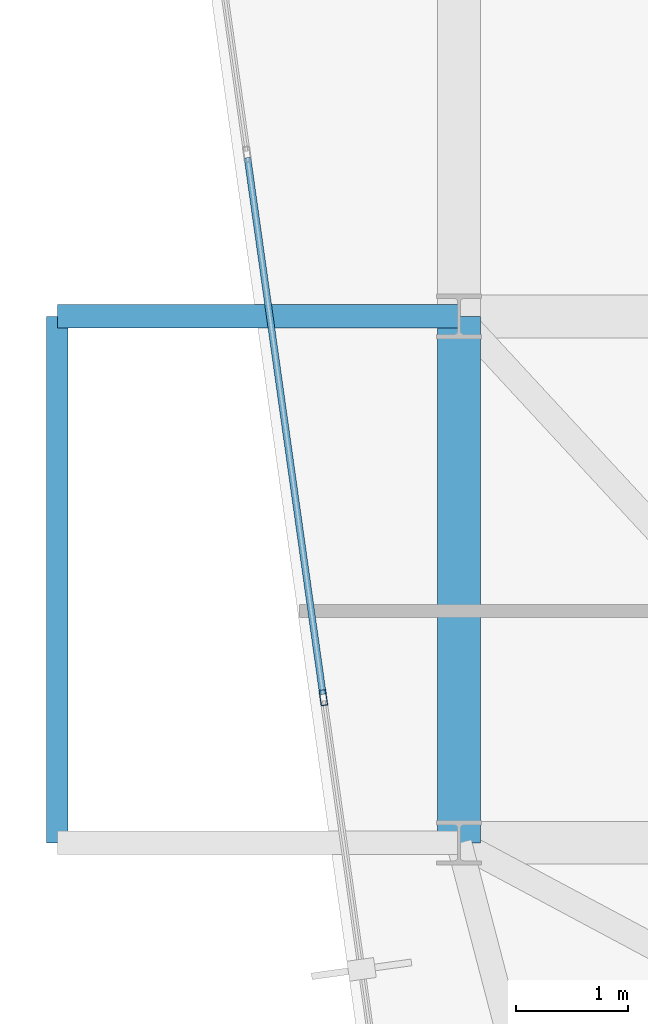
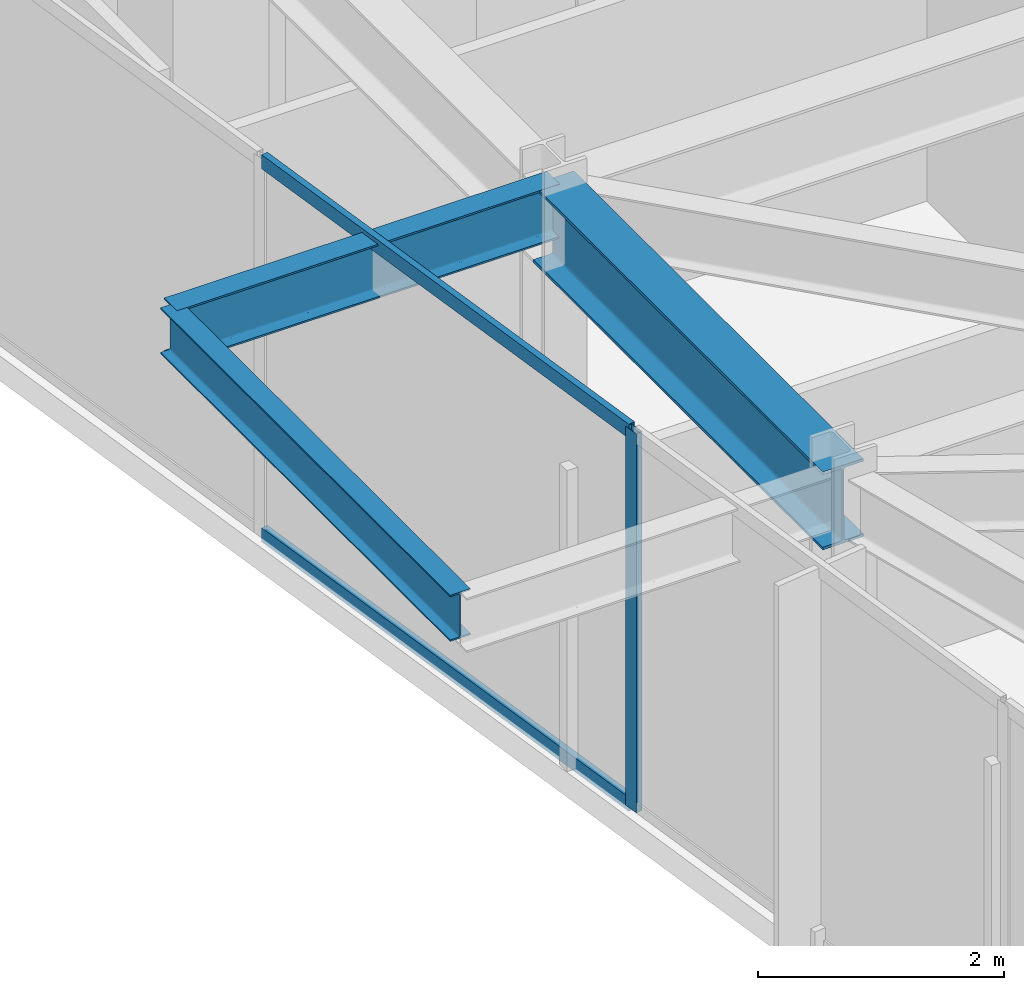
# One storey, part 9 of 26: 3 beams, 3 members, 1 element without a shape of its own.
"""IFC4 building model written with IfcOpenShell, lengths in metres."""

from ifc_helpers import new_model, si_unit, direction, frame, origin, origin_2d, place, context, subcontext, project, spatial, hollow_rectangle, i_section, extrude, material, layer, layer_set, material_profile, profile_set, type_object, element, aggregate, save


model = new_model("IFC4")

# Units and contexts
model_context = context("Model", 3, precision=1e-05, world=origin(), true_north=direction((0.0, 1.0)))
body_context = subcontext(model_context, "Body", "Model", "MODEL_VIEW")
ifc_project = project(units=[si_unit("LENGTHUNIT", "METRE"), si_unit("AREAUNIT", "SQUARE_METRE"), si_unit("VOLUMEUNIT", "CUBIC_METRE"), si_unit("PLANEANGLEUNIT", "RADIAN"), si_unit("MASSUNIT", "GRAM", prefix="KILO")], contexts=[model_context])

# Site, building, storey
site_placement = place(None, origin())
site = spatial("IfcSite", under=ifc_project, at=site_placement, CompositionType="ELEMENT")
building_placement = place(site_placement, origin())
building = spatial("IfcBuilding", under=site, at=building_placement, Name="Kravanh Interchange Tower", CompositionType="ELEMENT")
storey_placement = place(building_placement, frame((0.0, 0.0, 212.5)))
storey = spatial("IfcBuildingStorey", under=building, at=storey_placement, Name="L51", CompositionType="ELEMENT", Elevation=212.5)

# Curtain wall, members
ifc_material_1 = material(Name="Anodised Bronze Aluminium", Category="aluminium")
ifc_layer = layer(ifc_material_1, 0.179931640625)
ifc_layer_set = layer_set([ifc_layer], Name="Unitised Curtain Wall System CW-Z3 Upper Office")
curtain_wall_type = type_object("IfcCurtainWallType", Name="Unitised Curtain Wall System CW-Z3 Upper Office", PredefinedType="NOTDEFINED", material=ifc_layer_set)
curtain_wall_placement = place(storey_placement, origin())
curtain_wall = element("IfcCurtainWall", 1, at=curtain_wall_placement, inside=storey, type_object=curtain_wall_type, Name="L51 Unitised Curtain Wall CW-L51-01", PredefinedType="NOTDEFINED")
ifc_material_2 = material(Name="Anodised Bronze Aluminium", Category="aluminium")
ifc_material_profile_1 = material_profile(ifc_material_2, hollow_rectangle(XDim=0.06005859375, YDim=0.139892578125, WallThickness=0.00390625, at=origin_2d()), Name="ALU60X140X4")
ifc_profile_set_1 = profile_set([ifc_material_profile_1], Name="Anodised Bronze Aluminium")
member_type_1 = type_object("IfcMemberType", Name="Curtain Wall Mullion ALU60X140X4 Bronze", PredefinedType="MULLION", material=ifc_profile_set_1)
member_1_placement = place(storey_placement, frame((17.388671875, 28.09619140625, 0.0), z_axis=(0.0, 0.0, 1.0), x_axis=(-0.990268194035, -0.139172209446, 0.0)))
member_1 = element("IfcMember", 2, at=member_1_placement, type_object=member_type_1, Name="CW-Z3 mullion 4", PredefinedType="MULLION", context=body_context, shape_type="SweptSolid", body=[
    extrude(hollow_rectangle(XDim=0.06005859375, YDim=0.139892578125, WallThickness=0.00390625, at=origin_2d()), origin(), (0.0, 0.0, 1.0), 3.7548828125),
])
ifc_material_3 = material(Name="Anodised Bronze Aluminium", Category="aluminium")
ifc_material_profile_2 = material_profile(ifc_material_3, hollow_rectangle(XDim=0.06005859375, YDim=0.139892578125, WallThickness=0.00390625, at=origin_2d()), Name="ALU60X140X4")
ifc_profile_set_2 = profile_set([ifc_material_profile_2], Name="Anodised Bronze Aluminium")
member_type_2 = type_object("IfcMemberType", Name="Curtain Wall Transom ALU60X140X4 Bronze", PredefinedType="USERDEFINED", material=ifc_profile_set_2)
member_2_placement = place(storey_placement, frame((17.384521484375, 28.1259765625, 0.030029296875), z_axis=(-0.139182174391, 0.990266793512, 0.0), x_axis=(-0.990266793512, -0.139182174391, 0.0)))
member_2 = element("IfcMember", 3, at=member_2_placement, type_object=member_type_2, Name="CW-Z3 transom 4.1", ObjectType="TRANSOM", PredefinedType="USERDEFINED", context=body_context, shape_type="SweptSolid", body=[
    extrude(hollow_rectangle(XDim=0.06005859375, YDim=0.139892578125, WallThickness=0.00390625, at=origin_2d()), origin(), (0.0, 0.0, 1.0), 4.839599609375),
])
member_3_placement = place(storey_placement, frame((17.384521484375, 28.1259765625, 3.72509765625), z_axis=(-0.139182174391, 0.990266793512, 0.0), x_axis=(-0.990266793512, -0.139182174391, 0.0)))
member_3 = element("IfcMember", 4, at=member_3_placement, type_object=member_type_2, Name="CW-Z3 transom 4.2", ObjectType="TRANSOM", PredefinedType="USERDEFINED", context=body_context, shape_type="SweptSolid", body=[
    extrude(hollow_rectangle(XDim=0.06005859375, YDim=0.139892578125, WallThickness=0.00390625, at=origin_2d()), origin(), (0.0, 0.0, 1.0), 4.839599609375),
])
aggregate(curtain_wall, [member_1, member_2, member_3])

# Beams
ifc_material_4 = material(Name="Structural Steel S355", Category="steel")
ifc_material_profile_3 = material_profile(ifc_material_4, i_section(OverallWidth=0.381103515625, OverallDepth=0.77294921875, WebThickness=0.0166015625, FlangeThickness=0.027099609375, FilletRadius=0.02490234375, at=origin_2d()), Name="W30X173")
ifc_profile_set_3 = profile_set([ifc_material_profile_3], Name="Structural Steel S355")
beam_type_1 = type_object("IfcBeamType", Name="Floor Beam W30X173 Structural Steel S355", PredefinedType="BEAM", material=ifc_profile_set_3)
beam_1_placement = place(storey_placement, frame((18.60009765625, 26.800048828125, 3.368408203125), z_axis=(0.0, 1.0, 0.0), x_axis=(-1.0, 0.0, 0.0)))
element("IfcBeam", 5, at=beam_1_placement, inside=storey, type_object=beam_type_1, Name="L51 Primary Floor Girder 33", PredefinedType="BEAM", context=body_context, shape_type="SweptSolid", body=[
    extrude(i_section(OverallWidth=0.381103515625, OverallDepth=0.77294921875, WebThickness=0.0166015625, FlangeThickness=0.027099609375, FilletRadius=0.02490234375, at=origin_2d()), origin(), (0.0, 0.0, 1.0), 4.699951171875),
])
ifc_material_5 = material(Name="Structural Steel S355", Category="steel")
ifc_material_profile_4 = material_profile(ifc_material_5, i_section(OverallWidth=0.18994140625, OverallDepth=0.45703125, WebThickness=0.009033203125, FlangeThickness=0.014404296875, FilletRadius=0.01806640625, at=origin_2d()), Name="W18X50")
ifc_profile_set_4 = profile_set([ifc_material_profile_4], Name="Structural Steel S355")
beam_type_2 = type_object("IfcBeamType", Name="Floor Joist W18X50 Structural Steel S355", PredefinedType="JOIST", material=ifc_profile_set_4)
beam_2_placement = place(storey_placement, frame((15.012939453125, 26.800048828125, 3.526611328125), z_axis=(0.0, 1.0, 0.0), x_axis=(-1.0, 0.0, 0.0)))
element("IfcBeam", 6, at=beam_2_placement, inside=storey, type_object=beam_type_2, Name="L51 Balcony Edge Tie Beam W", PredefinedType="JOIST", context=body_context, shape_type="SweptSolid", body=[
    extrude(i_section(OverallWidth=0.18994140625, OverallDepth=0.45703125, WebThickness=0.009033203125, FlangeThickness=0.014404296875, FilletRadius=0.01806640625, at=origin_2d()), origin(), (0.0, 0.0, 1.0), 4.699951171875),
])
ifc_material_6 = material(Name="Structural Steel S355", Category="steel")
ifc_material_profile_5 = material_profile(ifc_material_6, i_section(OverallWidth=0.2099609375, OverallDepth=0.537109375, WebThickness=0.010986328125, FlangeThickness=0.017333984375, FilletRadius=0.02001953125, at=origin_2d()), Name="W21X68")
ifc_profile_set_5 = profile_set([ifc_material_profile_5], Name="Structural Steel S355")
beam_type_3 = type_object("IfcBeamType", Name="Floor Spandrel W21X68 Structural Steel S355", PredefinedType="SPANDREL", material=ifc_profile_set_5)
beam_3_placement = place(storey_placement, frame((18.60009765625, 31.5, 3.486572265625), z_axis=(-1.0, 0.0, 0.0), x_axis=(0.0, -1.0, 0.0)))
element("IfcBeam", 7, at=beam_3_placement, inside=storey, type_object=beam_type_3, Name="L51 Balcony Cantilever Outrigger W2", PredefinedType="SPANDREL", context=body_context, shape_type="SweptSolid", body=[
    extrude(i_section(OverallWidth=0.2099609375, OverallDepth=0.537109375, WebThickness=0.010986328125, FlangeThickness=0.017333984375, FilletRadius=0.02001953125, at=origin_2d()), origin(), (0.0, 0.0, 1.0), 3.587158203125),
])

save(model, "model.ifc")
